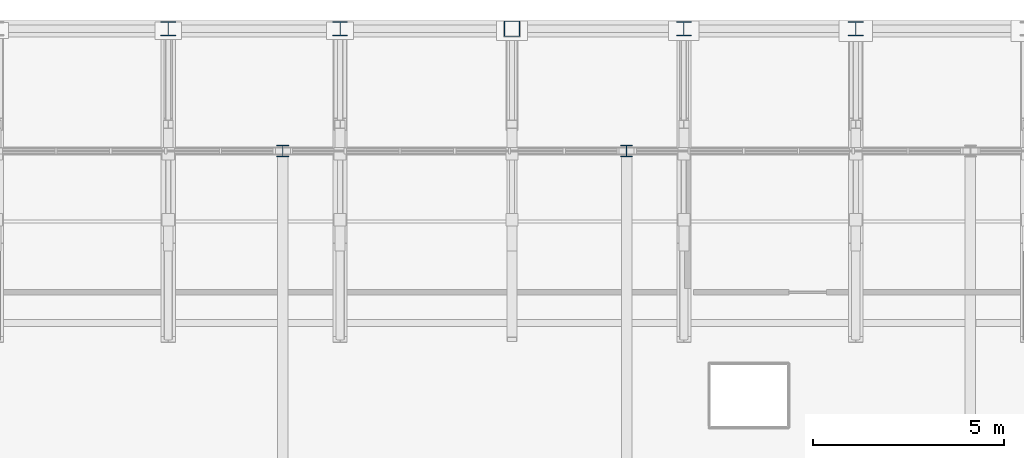
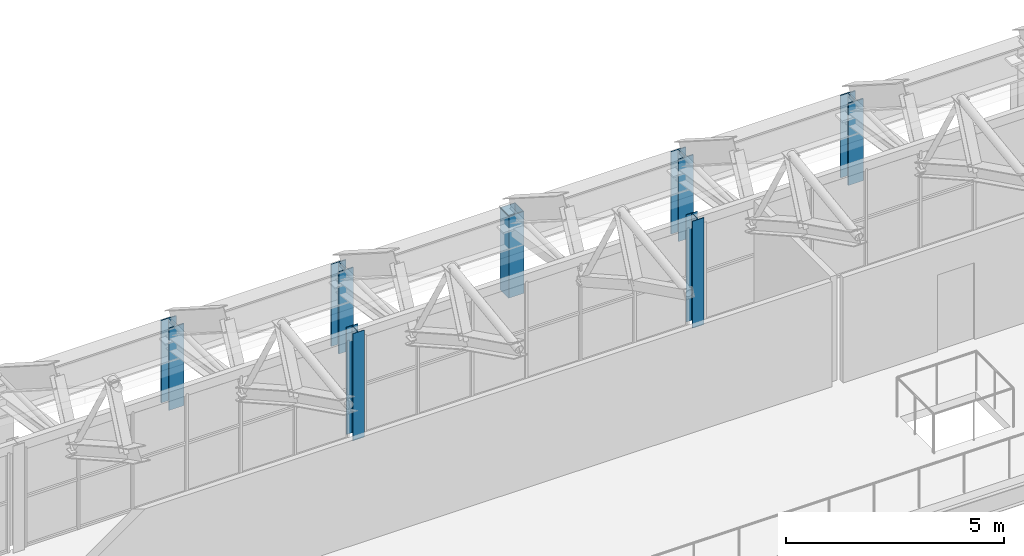
# One storey, part 15 of 134: 7 columns.
"""IFC4 building model written with IfcOpenShell, lengths in metres."""

from ifc_helpers import new_model, si_unit, direction, frame, origin, origin_2d, place, context, subcontext, project, spatial, hollow_rectangle, i_section, extrude, material, material_profile, profile_set, type_object, element, save


model = new_model("IFC4")

# Units and contexts
model_context = context("Model", 3, precision=1e-05, world=origin(), true_north=direction((0.0, 1.0)))
body_context = subcontext(model_context, "Body", "Model", "MODEL_VIEW")
ifc_project = project(units=[si_unit("LENGTHUNIT", "METRE"), si_unit("AREAUNIT", "SQUARE_METRE"), si_unit("VOLUMEUNIT", "CUBIC_METRE"), si_unit("PLANEANGLEUNIT", "RADIAN"), si_unit("MASSUNIT", "GRAM", prefix="KILO")], contexts=[model_context])

# Site, building, storey
site_placement = place(None, origin())
site = spatial("IfcSite", under=ifc_project, at=site_placement, CompositionType="ELEMENT")
building_placement = place(site_placement, origin())
building = spatial("IfcBuilding", under=site, at=building_placement, Name="Cazmaro Siding Exhibition Halls", CompositionType="ELEMENT")
storey_placement = place(building_placement, frame((0.0, 0.0, 12.0)))
storey = spatial("IfcBuildingStorey", under=building, at=storey_placement, Name="L02", CompositionType="ELEMENT", Elevation=12.0)

# Columns
ifc_material_1 = material(Name="Steel ASTM A992 Grade 50", Category="steel")
ifc_material_profile_1 = material_profile(ifc_material_1, i_section(OverallWidth=0.39208984375, OverallDepth=0.3759765625, WebThickness=0.01708984375, FlangeThickness=0.028076171875, at=origin_2d()), Name="W14X145")
ifc_profile_set_1 = profile_set([ifc_material_profile_1], Name="Steel ASTM A992 Grade 50")
column_type_1 = type_object("IfcColumnType", Name="C-03", PredefinedType="COLUMN", material=ifc_profile_set_1)
for number, where, z_axis, x_axis, name in (
    (1, (112.5, 124.0, 0.0), (0.0, 0.0, 1.0), (1.0, 0.0, 0.0), "Column C-03 COL-0096"),
    (2, (121.5, 124.0, 0.0), (0.0, 0.0, 1.0), (1.0, 0.0, 0.0), "Column C-03 COL-0108"),
):
    element("IfcColumn", number, at=place(storey_placement, frame(where, z_axis=z_axis, x_axis=x_axis)), inside=storey, type_object=column_type_1, Name=name, PredefinedType="COLUMN", context=body_context, shape_type="SweptSolid", body=[
        extrude(i_section(OverallWidth=0.39208984375, OverallDepth=0.3759765625, WebThickness=0.01708984375, FlangeThickness=0.028076171875, at=origin_2d()), origin(), (0.0, 0.0, 1.0), 2.300048828125),
    ])
ifc_material_2 = material(Name="Steel ASTM A992 Grade 50", Category="steel")
ifc_material_profile_2 = material_profile(ifc_material_2, i_section(OverallWidth=0.304931640625, OverallDepth=0.306884765625, WebThickness=0.010009765625, FlangeThickness=0.014892578125, at=origin_2d()), Name="W12X65")
ifc_profile_set_2 = profile_set([ifc_material_profile_2], Name="Steel ASTM A992 Grade 50")
column_type_2 = type_object("IfcColumnType", Name="C-06", PredefinedType="COLUMN", material=ifc_profile_set_2)
for number, where, z_axis, x_axis, name in (
    (3, (111.0, 120.800048828125, 0.0), (0.0, 0.0, 1.0), (1.0, 0.0, 0.0), "Column C-06 COL-0334"),
    (4, (120.0, 120.800048828125, 0.0), (0.0, 0.0, 1.0), (1.0, 0.0, 0.0), "Column C-06 COL-0344"),
):
    element("IfcColumn", number, at=place(storey_placement, frame(where, z_axis=z_axis, x_axis=x_axis)), inside=storey, type_object=column_type_2, Name=name, PredefinedType="COLUMN", context=body_context, shape_type="SweptSolid", body=[
        extrude(i_section(OverallWidth=0.304931640625, OverallDepth=0.306884765625, WebThickness=0.010009765625, FlangeThickness=0.014892578125, at=origin_2d()), origin(), (0.0, 0.0, 1.0), 3.0),
    ])
ifc_material_3 = material(Name="Steel ASTM A992 Grade 50", Category="steel")
ifc_material_profile_3 = material_profile(ifc_material_3, i_section(OverallWidth=0.39892578125, OverallDepth=0.386962890625, WebThickness=0.02099609375, FlangeThickness=0.032958984375, at=origin_2d()), Name="W14X176")
ifc_profile_set_3 = profile_set([ifc_material_profile_3], Name="Steel ASTM A992 Grade 50")
column_type_3 = type_object("IfcColumnType", Name="C-11", PredefinedType="COLUMN", material=ifc_profile_set_3)
for number, where, z_axis, x_axis, name in (
    (5, (108.0, 124.0, 0.0), (0.0, 0.0, 1.0), (1.0, 0.0, 0.0), "Column C-11 COL-0090"),
    (6, (126.0, 124.0, 0.0), (0.0, 0.0, 1.0), (1.0, 0.0, 0.0), "Column C-11 COL-0114"),
):
    element("IfcColumn", number, at=place(storey_placement, frame(where, z_axis=z_axis, x_axis=x_axis)), inside=storey, type_object=column_type_3, Name=name, PredefinedType="COLUMN", context=body_context, shape_type="SweptSolid", body=[
        extrude(i_section(OverallWidth=0.39892578125, OverallDepth=0.386962890625, WebThickness=0.02099609375, FlangeThickness=0.032958984375, at=origin_2d()), origin(), (0.0, 0.0, 1.0), 2.300048828125),
    ])
ifc_material_4 = material(Name="Steel ASTM A500 Grade C", Category="steel")
ifc_material_profile_4 = material_profile(ifc_material_4, hollow_rectangle(XDim=0.406005859375, YDim=0.406005859375, WallThickness=0.014892578125, at=origin_2d()), Name="HSS16X16X5/8")
ifc_profile_set_4 = profile_set([ifc_material_profile_4], Name="Steel ASTM A500 Grade C")
column_type_4 = type_object("IfcColumnType", Name="PL-01", PredefinedType="PILASTER", material=ifc_profile_set_4)
column_placement = place(storey_placement, frame((117.0, 124.0, 0.0), z_axis=(0.0, 0.0, 1.0), x_axis=(1.0, 0.0, 0.0)))
element("IfcColumn", 7, at=column_placement, inside=storey, type_object=column_type_4, Name="Column PL-01 COL-0102", PredefinedType="PILASTER", context=body_context, shape_type="SweptSolid", body=[
    extrude(hollow_rectangle(XDim=0.406005859375, YDim=0.406005859375, WallThickness=0.014892578125, at=origin_2d()), origin(), (0.0, 0.0, 1.0), 2.300048828125),
])

save(model, "model.ifc")
